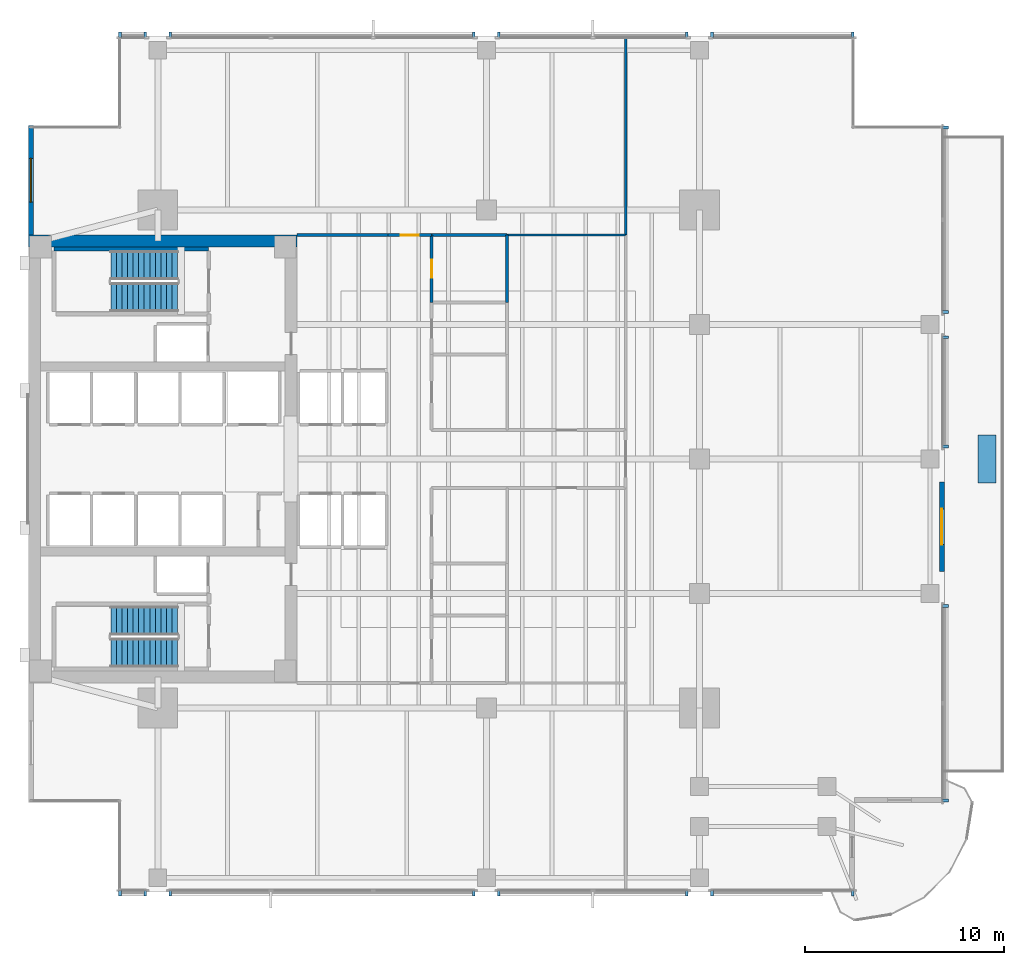
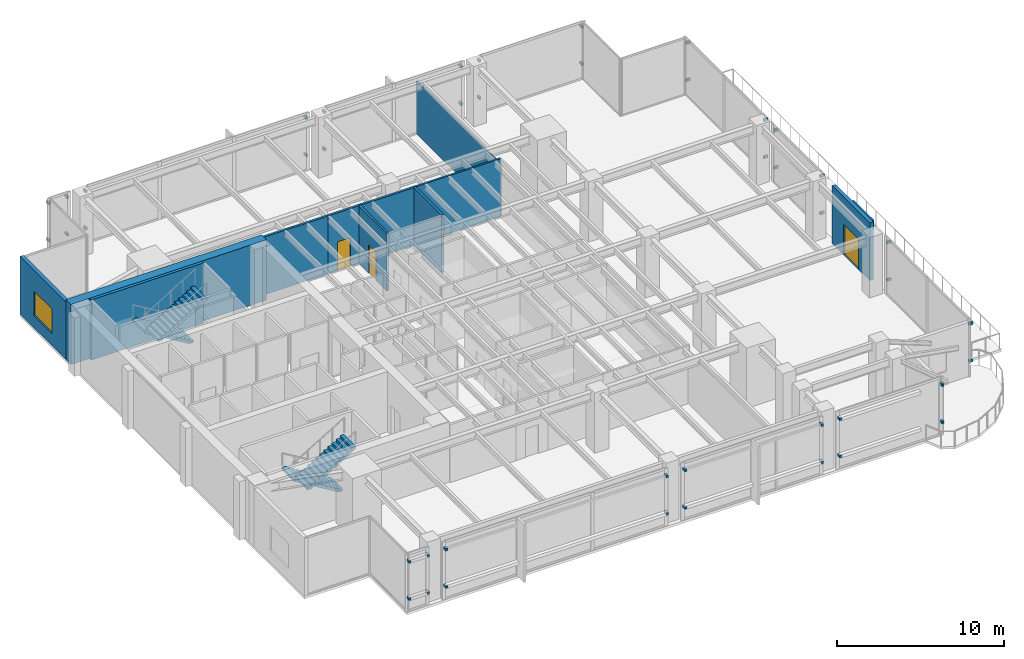
# One storey, part 10 of 14: 45 discrete accessories, 11 walls, 4 stair flights, 3 doors, 1 window, 4 openings, 2 elements without a shape of their own.
"""IFC4 building model written with IfcOpenShell, lengths in metres."""

from ifc_helpers import new_model, si_unit, direction, frame, frame_2d, origin, origin_2d, place, context, subcontext, project, spatial, polyline, rectangle, outline, extrude, material, layer, layer_set, type_object, element, fill, aggregate, save


model = new_model("IFC4")

# Units and contexts
model_context = context("Model", 3, precision=1e-05, world=origin(), true_north=direction((0.0, 1.0)))
body_context = subcontext(model_context, "Body", "Model", "MODEL_VIEW")
ifc_project = project(units=[si_unit("LENGTHUNIT", "METRE"), si_unit("AREAUNIT", "SQUARE_METRE"), si_unit("VOLUMEUNIT", "CUBIC_METRE"), si_unit("PLANEANGLEUNIT", "RADIAN"), si_unit("MASSUNIT", "GRAM", prefix="KILO")], contexts=[model_context])

# Site, building, storey
site_placement = place(None, origin())
site = spatial("IfcSite", under=ifc_project, at=site_placement, CompositionType="ELEMENT")
building_placement = place(site_placement, origin())
building = spatial("IfcBuilding", under=site, at=building_placement, Name="Kinhvarn Gate Tower", CompositionType="ELEMENT")
storey_placement = place(building_placement, frame((0.0, 0.0, 97.85009765625)))
storey = spatial("IfcBuildingStorey", under=building, at=storey_placement, Name="L25", CompositionType="ELEMENT", Elevation=97.85009765625)

# Wall
ifc_material_1 = material(Name="Concrete C60/75", Category="concrete")
ifc_layer_1 = layer(ifc_material_1, 0.60009765625)
ifc_layer_set_1 = layer_set([ifc_layer_1], Name="Concrete C60/75")
wall_type_1 = type_object("IfcWallType", Name="WL-CORE-600", PredefinedType="SHEAR", material=ifc_layer_set_1)
wall_1_placement = place(storey_placement, frame((4.5, 36.199951171875, 0.0), z_axis=(0.0, 0.0, 1.0), x_axis=(1.0, 0.0, 0.0)))
element("IfcWall", 1, at=wall_1_placement, inside=storey, type_object=wall_type_1, Name="Core North Shear Wall L25 600 mm", PredefinedType="SHEAR", context=body_context, shape_type="SweptSolid", body=[
    extrude(rectangle(XDim=13.5, YDim=0.60009765625, at=frame_2d((6.75, 0.0))), origin(), (0.0, 0.0, 1.0), 4.39990234375),
])

# Wall, opening, window
ifc_material_2 = material(Name="Fired architectural terracotta", Category="masonry")
ifc_layer_2 = layer(ifc_material_2, 0.25)
ifc_layer_set_2 = layer_set([ifc_layer_2], Name="Fired architectural terracotta")
wall_type_2 = type_object("IfcWallType", Name="WL-EXT-250", PredefinedType="SOLIDWALL", material=ifc_layer_set_2)
wall_2_placement = place(storey_placement, frame((4.625, 42.0, 0.0), z_axis=(0.0, 0.0, 1.0), x_axis=(0.0, -1.0, 0.0)))
wall_2 = element("IfcWall", 2, at=wall_2_placement, inside=storey, type_object=wall_type_2, Name="Exterior Solidwall Wall EW-250 (L25 West-North)", PredefinedType="SOLIDWALL", context=body_context, shape_type="SweptSolid", body=[
    extrude(rectangle(XDim=5.5, YDim=0.25, at=frame_2d((2.75, 0.0))), origin(), (0.0, 0.0, 1.0), 4.219970703125),
])
opening_1_placement = place(wall_2_placement, frame((1.64990234375, 0.0, 0.89990234375)))
opening_1 = element("IfcOpeningElement", 3, at=opening_1_placement, cuts=wall_2, Name="Opening WN-01", PredefinedType="OPENING", context=body_context, shape_type="SweptSolid", body=[
    extrude(rectangle(XDim=2.199951171875, YDim=1.800048828125, at=frame_2d((1.10009765625, 0.89990234375))), frame((0.0, 0.135009765625, 0.0), z_axis=(0.0, -1.0, 0.0), x_axis=(1.0, 0.0, 0.0)), (0.0, 0.0, 1.0), 0.27001953125),
])
ifc_material_3 = material(Name="Clear low-e double glazing", Category="glass")
window_type = type_object("IfcWindowType", Name="WIN-RIB-2200", PartitioningType="SINGLE_PANEL", PredefinedType="WINDOW", material=ifc_material_3)
window_placement = place(opening_1_placement, origin())
window = element("IfcWindow", 4, at=window_placement, inside=storey, type_object=window_type, Name="West Flank Double-Glazed Ribbon Window 2200x1800 mm (L25)", OverallHeight=1.800048828125, OverallWidth=2.199951171875, PartitioningType="SINGLE_PANEL", PredefinedType="WINDOW", context=body_context, shape_type="SweptSolid", body=[
    extrude(rectangle(XDim=2.199951171875, YDim=1.800048828125, at=frame_2d((1.10009765625, 0.89990234375))), frame((0.0, 0.030029296875, 0.0), z_axis=(0.0, -1.0, 0.0), x_axis=(1.0, 0.0, 0.0)), (0.0, 0.0, 1.0), 0.06005859375),
])
fill(opening_1, window)

# Wall, opening, door
wall_3_placement = place(storey_placement, frame((50.375, 19.60009765625, 0.0), z_axis=(0.0, 0.0, 1.0), x_axis=(0.0, 1.0, 0.0)))
wall_3 = element("IfcWall", 5, at=wall_3_placement, inside=storey, type_object=wall_type_2, Name="Exterior Solidwall Wall EW-250 (L25 Setback-Terrace-Access)", PredefinedType="SOLIDWALL", context=body_context, shape_type="SweptSolid", body=[
    extrude(rectangle(XDim=4.5, YDim=0.25, at=frame_2d((2.25, 0.0))), origin(), (0.0, 0.0, 1.0), 4.219970703125),
])
opening_2_placement = place(wall_3_placement, frame((1.35009765625, 0.0, 0.0)))
opening_2 = element("IfcOpeningElement", 6, at=opening_2_placement, cuts=wall_3, Name="Opening TD-01", PredefinedType="OPENING", context=body_context, shape_type="SweptSolid", body=[
    extrude(rectangle(XDim=1.800048828125, YDim=2.199951171875, at=frame_2d((0.89990234375, 1.10009765625))), frame((0.0, 0.135009765625, 0.0), z_axis=(0.0, -1.0, 0.0), x_axis=(1.0, 0.0, 0.0)), (0.0, 0.0, 1.0), 0.27001953125),
])
door_type_1 = type_object("IfcDoorType", Name="DR-TER-1800", OperationType="NOTDEFINED", PredefinedType="DOOR", material=ifc_material_3)
door_1_placement = place(opening_2_placement, frame((1.800048828125, 0.0, 0.0), z_axis=(0.0, 0.0, 1.0), x_axis=(-1.0, 0.0, 0.0)))
door_1 = element("IfcDoor", 7, at=door_1_placement, inside=storey, type_object=door_type_1, Name="Setback Terrace Double Door TD-01 (L25)", OperationType="DOUBLE_DOOR_SINGLE_SWING", OverallHeight=2.199951171875, OverallWidth=1.800048828125, PredefinedType="DOOR", context=body_context, shape_type="SweptSolid", body=[
    extrude(rectangle(XDim=1.800048828125, YDim=2.199951171875, at=frame_2d((0.89990234375, 1.10009765625))), frame((0.0, 0.02490234375, 0.0), z_axis=(0.0, -1.0, 0.0), x_axis=(1.0, 0.0, 0.0)), (0.0, 0.0, 1.0), 0.050048828125),
])
fill(opening_2, door_1)

# Walls
ifc_material_4 = material(Name="Gypsum acoustic partition board")
ifc_layer_3 = layer(ifc_material_4, 0.14990234375)
ifc_layer_set_3 = layer_set([ifc_layer_3], Name="Gypsum acoustic partition board")
wall_type_3 = type_object("IfcWallType", Name="WL-PLM-150", PredefinedType="PLUMBINGWALL", material=ifc_layer_set_3)
wall_4_placement = place(storey_placement, frame((24.75, 36.5, 0.0), z_axis=(0.0, 0.0, 1.0), x_axis=(1.0, 0.0, 0.0)))
element("IfcWall", 8, at=wall_4_placement, inside=storey, type_object=wall_type_3, Name="Interior Partition PLW-150 (L25)", PredefinedType="PLUMBINGWALL", context=body_context, shape_type="SweptSolid", body=[
    extrude(rectangle(XDim=3.800048828125, YDim=0.14990234375, at=frame_2d((1.89990234375, 0.0))), origin(), (0.0, 0.0, 1.0), 4.219970703125),
])
wall_5_placement = place(storey_placement, frame((28.550048828125, 33.10009765625, 0.0), z_axis=(0.0, 0.0, 1.0), x_axis=(0.0, 1.0, 0.0)))
element("IfcWall", 9, at=wall_5_placement, inside=storey, type_object=wall_type_3, Name="Interior Partition PLW-150 (L25)", PredefinedType="PLUMBINGWALL", context=body_context, shape_type="SweptSolid", body=[
    extrude(rectangle(XDim=3.39990234375, YDim=0.14990234375, at=frame_2d((1.699951171875, 0.0))), origin(), (0.0, 0.0, 1.0), 4.219970703125),
])

# Wall, opening, door
ifc_layer_4 = layer(ifc_material_4, 0.14990234375)
ifc_layer_set_4 = layer_set([ifc_layer_4], Name="Gypsum acoustic partition board")
wall_type_4 = type_object("IfcWallType", Name="WL-PLM-150F", PredefinedType="PLUMBINGWALL", material=ifc_layer_set_4)
wall_6_placement = place(storey_placement, frame((24.75, 33.10009765625, 0.0), z_axis=(0.0, 0.0, 1.0), x_axis=(0.0, 1.0, 0.0)))
wall_6 = element("IfcWall", 10, at=wall_6_placement, inside=storey, type_object=wall_type_4, Name="Interior Partition PLW-150F (L25)", PredefinedType="PLUMBINGWALL", context=body_context, shape_type="SweptSolid", body=[
    extrude(rectangle(XDim=3.39990234375, YDim=0.14990234375, at=frame_2d((1.699951171875, 0.0))), origin(), (0.0, 0.0, 1.0), 4.219970703125),
])
opening_3_placement = place(wall_6_placement, frame((1.25, 0.0, 0.0)))
opening_3 = element("IfcOpeningElement", 11, at=opening_3_placement, cuts=wall_6, Name="Opening FD-04", PredefinedType="OPENING", context=body_context, shape_type="SweptSolid", body=[
    extrude(rectangle(XDim=0.89990234375, YDim=2.10009765625, at=frame_2d((0.449951171875, 1.050048828125))), frame((0.0, 0.0849609375, 0.0), z_axis=(0.0, -1.0, 0.0), x_axis=(1.0, 0.0, 0.0)), (0.0, 0.0, 1.0), 0.169921875),
])
ifc_material_5 = material(Name="Anodised aluminium AW-6063", Category="aluminium")
door_type_2 = type_object("IfcDoorType", Name="DR-FD-900", OperationType="NOTDEFINED", PredefinedType="DOOR", material=ifc_material_5)
door_2_placement = place(opening_3_placement, origin())
door_2 = element("IfcDoor", 12, at=door_2_placement, inside=storey, type_object=door_type_2, Name="Rated Riser & Service Closet Fire Door 900x2100 mm (L25)", OperationType="SINGLE_SWING_RIGHT", OverallHeight=2.10009765625, OverallWidth=0.89990234375, PredefinedType="DOOR", context=body_context, shape_type="SweptSolid", body=[
    extrude(rectangle(XDim=0.89990234375, YDim=2.10009765625, at=frame_2d((0.449951171875, 1.050048828125))), frame((0.0, 0.02490234375, 0.0), z_axis=(0.0, -1.0, 0.0), x_axis=(1.0, 0.0, 0.0)), (0.0, 0.0, 1.0), 0.050048828125),
])
fill(opening_3, door_2)

# Walls
ifc_layer_5 = layer(ifc_material_4, 0.1201171875)
ifc_layer_set_5 = layer_set([ifc_layer_5], Name="Gypsum acoustic partition board")
wall_type_5 = type_object("IfcWallType", Name="WL-PRT-120", PredefinedType="PARTITIONING", material=ifc_layer_set_5)
wall_7_placement = place(storey_placement, frame((28.550048828125, 36.5, 0.0), z_axis=(0.0, 0.0, 1.0), x_axis=(1.0, 0.0, 0.0)))
element("IfcWall", 13, at=wall_7_placement, inside=storey, type_object=wall_type_5, Name="Interior Partition PW-120 (L25)", PredefinedType="PARTITIONING", context=body_context, shape_type="SweptSolid", body=[
    extrude(rectangle(XDim=5.949951171875, YDim=0.1201171875, at=frame_2d((2.97509765625, 0.0))), origin(), (0.0, 0.0, 1.0), 4.219970703125),
])
wall_8_placement = place(storey_placement, frame((34.5, 36.5, 0.0), z_axis=(0.0, 0.0, 1.0), x_axis=(0.0, 1.0, 0.0)))
element("IfcWall", 14, at=wall_8_placement, inside=storey, type_object=wall_type_5, Name="Interior Partition PW-120 (L25)", PredefinedType="PARTITIONING", context=body_context, shape_type="SweptSolid", body=[
    extrude(rectangle(XDim=9.989990234375, YDim=0.1201171875, at=frame_2d((4.9951171875, 0.0))), origin(), (0.0, 0.0, 1.0), 3.81982421875),
])
ifc_layer_6 = layer(ifc_material_4, 0.14990234375)
ifc_layer_set_6 = layer_set([ifc_layer_6], Name="Gypsum acoustic partition board")
wall_type_6 = type_object("IfcWallType", Name="WL-PRT-150F", PredefinedType="PARTITIONING", material=ifc_layer_set_6)
wall_9_placement = place(storey_placement, frame((18.0, 36.5, 0.0), z_axis=(0.0, 0.0, 1.0), x_axis=(1.0, 0.0, 0.0)))
element("IfcWall", 15, at=wall_9_placement, inside=storey, type_object=wall_type_6, Name="Interior Partition PW-150F (L25)", PredefinedType="PARTITIONING", context=body_context, shape_type="SweptSolid", body=[
    extrude(rectangle(XDim=4.550048828125, YDim=0.14990234375, at=frame_2d((2.27490234375, 0.0))), origin(), (0.0, 0.0, 1.0), 4.219970703125),
])

# Wall, opening, door
wall_10_placement = place(storey_placement, frame((22.550048828125, 36.5, 0.0), z_axis=(0.0, 0.0, 1.0), x_axis=(1.0, 0.0, 0.0)))
wall_10 = element("IfcWall", 16, at=wall_10_placement, inside=storey, type_object=wall_type_6, Name="Interior Partition PW-150F (L25)", PredefinedType="PARTITIONING", context=body_context, shape_type="SweptSolid", body=[
    extrude(rectangle(XDim=2.199951171875, YDim=0.14990234375, at=frame_2d((1.10009765625, 0.0))), origin(), (0.0, 0.0, 1.0), 4.219970703125),
])
opening_4_placement = place(wall_10_placement, frame((0.64990234375, 0.0, 0.0)))
opening_4 = element("IfcOpeningElement", 17, at=opening_4_placement, cuts=wall_10, Name="Opening ID-03", PredefinedType="OPENING", context=body_context, shape_type="SweptSolid", body=[
    extrude(rectangle(XDim=0.89990234375, YDim=2.10009765625, at=frame_2d((0.449951171875, 1.050048828125))), frame((0.0, 0.0849609375, 0.0), z_axis=(0.0, -1.0, 0.0), x_axis=(1.0, 0.0, 0.0)), (0.0, 0.0, 1.0), 0.169921875),
])
door_type_3 = type_object("IfcDoorType", Name="DR-INT-900", OperationType="NOTDEFINED", PredefinedType="DOOR", material=ifc_material_5)
door_3_placement = place(opening_4_placement, origin())
door_3 = element("IfcDoor", 18, at=door_3_placement, inside=storey, type_object=door_type_3, Name="Cellular Office & Restroom Door 900x2100 mm (L25)", OperationType="SINGLE_SWING_RIGHT", OverallHeight=2.10009765625, OverallWidth=0.89990234375, PredefinedType="DOOR", context=body_context, shape_type="SweptSolid", body=[
    extrude(rectangle(XDim=0.89990234375, YDim=2.10009765625, at=frame_2d((0.449951171875, 1.050048828125))), frame((0.0, 0.02490234375, 0.0), z_axis=(0.0, -1.0, 0.0), x_axis=(1.0, 0.0, 0.0)), (0.0, 0.0, 1.0), 0.050048828125),
])
fill(opening_4, door_3)

# Wall
ifc_material_6 = material(Name="Concrete C40/50", Category="concrete")
ifc_layer_7 = layer(ifc_material_6, 0.199951171875)
ifc_layer_set_7 = layer_set([ifc_layer_7], Name="Concrete C40/50")
wall_type_7 = type_object("IfcWallType", Name="WL-SHF-200", PredefinedType="SOLIDWALL", material=ifc_layer_set_7)
wall_11_placement = place(storey_placement, frame((5.800048828125, 35.800048828125, 0.0), z_axis=(0.0, 0.0, 1.0), x_axis=(1.0, 0.0, 0.0)))
element("IfcWall", 19, at=wall_11_placement, inside=storey, type_object=wall_type_7, Name="Stair ST2 North Shaft Wall (L25)", PredefinedType="SOLIDWALL", context=body_context, shape_type="SweptSolid", body=[
    extrude(rectangle(XDim=7.75, YDim=0.199951171875, at=frame_2d((3.875, 0.0))), origin(), (0.0, 0.0, 1.0), 4.39990234375),
])

# Stair, stair flights
stair_type = type_object("IfcStairType", Name="STR-DLG-169", PredefinedType="HALF_TURN_STAIR", material=ifc_material_6)
stair_1_placement = place(storey_placement, origin())
stair_1 = element("IfcStair", 20, at=stair_1_placement, inside=storey, type_object=stair_type, Name="L25 Core Smokeproof Exit Stair ST1", PredefinedType="HALF_TURN_STAIR")
stair_flight_type = type_object("IfcStairFlightType", Name="STF-DLG-169", PredefinedType="STRAIGHT", material=ifc_material_6)
stair_flight_1_placement = place(storey_placement, frame((12.0, 17.125, 0.0), z_axis=(0.0, 0.0, 1.0), x_axis=(-1.0, 0.0, 0.0)))
stair_flight_1 = element("IfcStairFlight", 21, at=stair_flight_1_placement, type_object=stair_flight_type, Name="ST1 flight 1", NumberOfRisers=13, NumberOfTreads=12, PredefinedType="STRAIGHT", RiserHeight=0.169230769, TreadLength=0.28, context=body_context, shape_type="SweptSolid", body=[
    extrude(outline(polyline([(0.0, 0.0), (0.0, 0.169189453125), (0.280029296875, 0.169189453125), (0.280029296875, 0.33837890625), (0.56005859375, 0.33837890625), (0.56005859375, 0.5078125), (0.840087890625, 0.5078125), (0.840087890625, 0.677001953125), (1.1201171875, 0.677001953125), (1.1201171875, 0.84619140625), (1.39990234375, 0.84619140625), (1.39990234375, 1.015380859375), (1.679931640625, 1.015380859375), (1.679931640625, 1.1845703125), (1.9599609375, 1.1845703125), (1.9599609375, 1.353759765625), (2.239990234375, 1.353759765625), (2.239990234375, 1.523193359375), (2.52001953125, 1.523193359375), (2.52001953125, 1.6923828125), (2.800048828125, 1.6923828125), (2.800048828125, 1.861572265625), (3.080078125, 1.861572265625), (3.080078125, 2.03076171875), (3.360107421875, 2.03076171875), (3.360107421875, 2.199951171875), (3.360107421875, 1.855712890625), (0.289794921875, 0.0), (0.0, 0.0)])), frame((0.0, 0.72509765625, 0.0), z_axis=(0.0, -1.0, 0.0), x_axis=(1.0, 0.0, 0.0)), (0.0, 0.0, 1.0), 1.449951171875),
])
stair_flight_2_placement = place(storey_placement, frame((8.639892578125, 15.52490234375, 2.199951171875), z_axis=(0.0, 0.0, 1.0), x_axis=(1.0, 0.0, 0.0)))
stair_flight_2 = element("IfcStairFlight", 22, at=stair_flight_2_placement, type_object=stair_flight_type, Name="ST1 flight 2", NumberOfRisers=13, NumberOfTreads=12, PredefinedType="STRAIGHT", RiserHeight=0.169230769, TreadLength=0.28, context=body_context, shape_type="SweptSolid", body=[
    extrude(outline(polyline([(0.0, 0.0), (0.0, 0.169189453125), (0.280029296875, 0.169189453125), (0.280029296875, 0.33837890625), (0.56005859375, 0.33837890625), (0.56005859375, 0.5078125), (0.840087890625, 0.5078125), (0.840087890625, 0.677001953125), (1.1201171875, 0.677001953125), (1.1201171875, 0.84619140625), (1.39990234375, 0.84619140625), (1.39990234375, 1.015380859375), (1.679931640625, 1.015380859375), (1.679931640625, 1.1845703125), (1.9599609375, 1.1845703125), (1.9599609375, 1.353759765625), (2.239990234375, 1.353759765625), (2.239990234375, 1.523193359375), (2.52001953125, 1.523193359375), (2.52001953125, 1.6923828125), (2.800048828125, 1.6923828125), (2.800048828125, 1.861572265625), (3.080078125, 1.861572265625), (3.080078125, 2.03076171875), (3.360107421875, 2.03076171875), (3.360107421875, 2.199951171875), (3.360107421875, 1.855712890625), (0.289794921875, 0.0), (0.0, 0.0)])), frame((0.0, 0.72509765625, 0.0), z_axis=(0.0, -1.0, 0.0), x_axis=(1.0, 0.0, 0.0)), (0.0, 0.0, 1.0), 1.449951171875),
])
aggregate(stair_1, [stair_flight_1, stair_flight_2])

stair_2_placement = place(storey_placement, origin())
stair_2 = element("IfcStair", 23, at=stair_2_placement, inside=storey, type_object=stair_type, Name="L25 Core Smokeproof Exit Stair ST2", PredefinedType="HALF_TURN_STAIR")
stair_flight_3_placement = place(storey_placement, frame((12.0, 34.97509765625, 0.0), z_axis=(0.0, 0.0, 1.0), x_axis=(-1.0, 0.0, 0.0)))
stair_flight_3 = element("IfcStairFlight", 24, at=stair_flight_3_placement, type_object=stair_flight_type, Name="ST2 flight 1", NumberOfRisers=13, NumberOfTreads=12, PredefinedType="STRAIGHT", RiserHeight=0.169230769, TreadLength=0.28, context=body_context, shape_type="SweptSolid", body=[
    extrude(outline(polyline([(0.0, 0.0), (0.0, 0.169189453125), (0.280029296875, 0.169189453125), (0.280029296875, 0.33837890625), (0.56005859375, 0.33837890625), (0.56005859375, 0.5078125), (0.840087890625, 0.5078125), (0.840087890625, 0.677001953125), (1.1201171875, 0.677001953125), (1.1201171875, 0.84619140625), (1.39990234375, 0.84619140625), (1.39990234375, 1.015380859375), (1.679931640625, 1.015380859375), (1.679931640625, 1.1845703125), (1.9599609375, 1.1845703125), (1.9599609375, 1.353759765625), (2.239990234375, 1.353759765625), (2.239990234375, 1.523193359375), (2.52001953125, 1.523193359375), (2.52001953125, 1.6923828125), (2.800048828125, 1.6923828125), (2.800048828125, 1.861572265625), (3.080078125, 1.861572265625), (3.080078125, 2.03076171875), (3.360107421875, 2.03076171875), (3.360107421875, 2.199951171875), (3.360107421875, 1.855712890625), (0.289794921875, 0.0), (0.0, 0.0)])), frame((0.0, 0.72509765625, 0.0), z_axis=(0.0, -1.0, 0.0), x_axis=(1.0, 0.0, 0.0)), (0.0, 0.0, 1.0), 1.449951171875),
])
stair_flight_4_placement = place(storey_placement, frame((8.639892578125, 33.375, 2.199951171875), z_axis=(0.0, 0.0, 1.0), x_axis=(1.0, 0.0, 0.0)))
stair_flight_4 = element("IfcStairFlight", 25, at=stair_flight_4_placement, type_object=stair_flight_type, Name="ST2 flight 2", NumberOfRisers=13, NumberOfTreads=12, PredefinedType="STRAIGHT", RiserHeight=0.169230769, TreadLength=0.28, context=body_context, shape_type="SweptSolid", body=[
    extrude(outline(polyline([(0.0, 0.0), (0.0, 0.169189453125), (0.280029296875, 0.169189453125), (0.280029296875, 0.33837890625), (0.56005859375, 0.33837890625), (0.56005859375, 0.5078125), (0.840087890625, 0.5078125), (0.840087890625, 0.677001953125), (1.1201171875, 0.677001953125), (1.1201171875, 0.84619140625), (1.39990234375, 0.84619140625), (1.39990234375, 1.015380859375), (1.679931640625, 1.015380859375), (1.679931640625, 1.1845703125), (1.9599609375, 1.1845703125), (1.9599609375, 1.353759765625), (2.239990234375, 1.353759765625), (2.239990234375, 1.523193359375), (2.52001953125, 1.523193359375), (2.52001953125, 1.6923828125), (2.800048828125, 1.6923828125), (2.800048828125, 1.861572265625), (3.080078125, 1.861572265625), (3.080078125, 2.03076171875), (3.360107421875, 2.03076171875), (3.360107421875, 2.199951171875), (3.360107421875, 1.855712890625), (0.289794921875, 0.0), (0.0, 0.0)])), frame((0.0, 0.72509765625, 0.0), z_axis=(0.0, -1.0, 0.0), x_axis=(1.0, 0.0, 0.0)), (0.0, 0.0, 1.0), 1.449951171875),
])
aggregate(stair_2, [stair_flight_3, stair_flight_4])

# Discrete accessories
discrete_accessory_type_1 = type_object("IfcDiscreteAccessoryType", Name="ACC-BRK-01", PredefinedType="BRACKET", material=ifc_material_5)
for number, where, z_axis, x_axis, name in (
    (26, (9.10009765625, 3.43994140625, 0.9599609375), (0.0, 0.0, 1.0), (1.0, 0.0, 0.0), "Baguette Support Bracket BK-01 (L25)"),
    (27, (9.10009765625, 3.43994140625, 3.68017578125), (0.0, 0.0, 1.0), (1.0, 0.0, 0.0), "Baguette Support Bracket BK-01 (L25)"),
    (28, (10.3701171875, 3.43994140625, 0.9599609375), (0.0, 0.0, 1.0), (1.0, 0.0, 0.0), "Baguette Support Bracket BK-01 (L25)"),
    (29, (10.3701171875, 3.43994140625, 3.68017578125), (0.0, 0.0, 1.0), (1.0, 0.0, 0.0), "Baguette Support Bracket BK-01 (L25)"),
    (30, (11.6298828125, 3.43994140625, 0.9599609375), (0.0, 0.0, 1.0), (1.0, 0.0, 0.0), "Baguette Support Bracket BK-01 (L25)"),
    (31, (11.6298828125, 3.43994140625, 3.68017578125), (0.0, 0.0, 1.0), (1.0, 0.0, 0.0), "Baguette Support Bracket BK-01 (L25)"),
    (32, (26.8701171875, 3.43994140625, 0.9599609375), (0.0, 0.0, 1.0), (1.0, 0.0, 0.0), "Baguette Support Bracket BK-01 (L25)"),
    (33, (26.8701171875, 3.43994140625, 3.68017578125), (0.0, 0.0, 1.0), (1.0, 0.0, 0.0), "Baguette Support Bracket BK-01 (L25)"),
    (34, (28.1298828125, 3.43994140625, 0.9599609375), (0.0, 0.0, 1.0), (1.0, 0.0, 0.0), "Baguette Support Bracket BK-01 (L25)"),
    (35, (28.1298828125, 3.43994140625, 3.68017578125), (0.0, 0.0, 1.0), (1.0, 0.0, 0.0), "Baguette Support Bracket BK-01 (L25)"),
    (36, (37.570068359375, 3.43994140625, 0.9599609375), (0.0, 0.0, 1.0), (1.0, 0.0, 0.0), "Baguette Support Bracket BK-01 (L25)"),
    (37, (37.570068359375, 3.43994140625, 3.68017578125), (0.0, 0.0, 1.0), (1.0, 0.0, 0.0), "Baguette Support Bracket BK-01 (L25)"),
    (38, (38.830078125, 3.43994140625, 0.9599609375), (0.0, 0.0, 1.0), (1.0, 0.0, 0.0), "Baguette Support Bracket BK-01 (L25)"),
    (39, (38.830078125, 3.43994140625, 3.68017578125), (0.0, 0.0, 1.0), (1.0, 0.0, 0.0), "Baguette Support Bracket BK-01 (L25)"),
    (40, (45.89990234375, 3.43994140625, 0.9599609375), (0.0, 0.0, 1.0), (1.0, 0.0, 0.0), "Baguette Support Bracket BK-01 (L25)"),
    (41, (45.89990234375, 3.43994140625, 3.68017578125), (0.0, 0.0, 1.0), (1.0, 0.0, 0.0), "Baguette Support Bracket BK-01 (L25)"),
    (42, (45.89990234375, 46.56005859375, 0.9599609375), (0.0, 0.0, 1.0), (-1.0, 0.0, 0.0), "Baguette Support Bracket BK-01 (L25)"),
    (43, (45.89990234375, 46.56005859375, 3.68017578125), (0.0, 0.0, 1.0), (-1.0, 0.0, 0.0), "Baguette Support Bracket BK-01 (L25)"),
    (44, (38.830078125, 46.56005859375, 0.9599609375), (0.0, 0.0, 1.0), (-1.0, 0.0, 0.0), "Baguette Support Bracket BK-01 (L25)"),
    (45, (38.830078125, 46.56005859375, 3.68017578125), (0.0, 0.0, 1.0), (-1.0, 0.0, 0.0), "Baguette Support Bracket BK-01 (L25)"),
    (46, (37.570068359375, 46.56005859375, 0.9599609375), (0.0, 0.0, 1.0), (-1.0, 0.0, 0.0), "Baguette Support Bracket BK-01 (L25)"),
    (47, (37.570068359375, 46.56005859375, 3.68017578125), (0.0, 0.0, 1.0), (-1.0, 0.0, 0.0), "Baguette Support Bracket BK-01 (L25)"),
    (48, (28.1298828125, 46.56005859375, 0.9599609375), (0.0, 0.0, 1.0), (-1.0, 0.0, 0.0), "Baguette Support Bracket BK-01 (L25)"),
    (49, (28.1298828125, 46.56005859375, 3.68017578125), (0.0, 0.0, 1.0), (-1.0, 0.0, 0.0), "Baguette Support Bracket BK-01 (L25)"),
    (50, (26.8701171875, 46.56005859375, 0.9599609375), (0.0, 0.0, 1.0), (-1.0, 0.0, 0.0), "Baguette Support Bracket BK-01 (L25)"),
    (51, (26.8701171875, 46.56005859375, 3.68017578125), (0.0, 0.0, 1.0), (-1.0, 0.0, 0.0), "Baguette Support Bracket BK-01 (L25)"),
    (52, (11.6298828125, 46.56005859375, 0.9599609375), (0.0, 0.0, 1.0), (-1.0, 0.0, 0.0), "Baguette Support Bracket BK-01 (L25)"),
    (53, (11.6298828125, 46.56005859375, 3.68017578125), (0.0, 0.0, 1.0), (-1.0, 0.0, 0.0), "Baguette Support Bracket BK-01 (L25)"),
    (54, (10.3701171875, 46.56005859375, 0.9599609375), (0.0, 0.0, 1.0), (-1.0, 0.0, 0.0), "Baguette Support Bracket BK-01 (L25)"),
    (55, (10.3701171875, 46.56005859375, 3.68017578125), (0.0, 0.0, 1.0), (-1.0, 0.0, 0.0), "Baguette Support Bracket BK-01 (L25)"),
    (56, (9.10009765625, 46.56005859375, 0.9599609375), (0.0, 0.0, 1.0), (-1.0, 0.0, 0.0), "Baguette Support Bracket BK-01 (L25)"),
    (57, (9.10009765625, 46.56005859375, 3.68017578125), (0.0, 0.0, 1.0), (-1.0, 0.0, 0.0), "Baguette Support Bracket BK-01 (L25)"),
    (58, (50.56005859375, 8.10009765625, 0.9599609375), (0.0, 0.0, 1.0), (0.0, 1.0, 0.0), "Baguette Support Bracket BK-01 (L25)"),
    (59, (50.56005859375, 8.10009765625, 3.68017578125), (0.0, 0.0, 1.0), (0.0, 1.0, 0.0), "Baguette Support Bracket BK-01 (L25)"),
    (60, (50.56005859375, 17.8701171875, 0.9599609375), (0.0, 0.0, 1.0), (0.0, 1.0, 0.0), "Baguette Support Bracket BK-01 (L25)"),
    (61, (50.56005859375, 17.8701171875, 3.68017578125), (0.0, 0.0, 1.0), (0.0, 1.0, 0.0), "Baguette Support Bracket BK-01 (L25)"),
    (62, (50.56005859375, 25.8798828125, 0.9599609375), (0.0, 0.0, 1.0), (0.0, 1.0, 0.0), "Baguette Support Bracket BK-01 (L25)"),
    (63, (50.56005859375, 25.8798828125, 3.68017578125), (0.0, 0.0, 1.0), (0.0, 1.0, 0.0), "Baguette Support Bracket BK-01 (L25)"),
    (64, (50.56005859375, 31.3701171875, 0.9599609375), (0.0, 0.0, 1.0), (0.0, 1.0, 0.0), "Baguette Support Bracket BK-01 (L25)"),
    (65, (50.56005859375, 31.3701171875, 3.68017578125), (0.0, 0.0, 1.0), (0.0, 1.0, 0.0), "Baguette Support Bracket BK-01 (L25)"),
    (66, (50.56005859375, 32.6298828125, 0.9599609375), (0.0, 0.0, 1.0), (0.0, 1.0, 0.0), "Baguette Support Bracket BK-01 (L25)"),
    (67, (50.56005859375, 32.6298828125, 3.68017578125), (0.0, 0.0, 1.0), (0.0, 1.0, 0.0), "Baguette Support Bracket BK-01 (L25)"),
    (68, (50.56005859375, 41.89990234375, 0.9599609375), (0.0, 0.0, 1.0), (0.0, 1.0, 0.0), "Baguette Support Bracket BK-01 (L25)"),
    (69, (50.56005859375, 41.89990234375, 3.68017578125), (0.0, 0.0, 1.0), (0.0, 1.0, 0.0), "Baguette Support Bracket BK-01 (L25)"),
):
    element("IfcDiscreteAccessory", number, at=place(storey_placement, frame(where, z_axis=z_axis, x_axis=x_axis)), inside=storey, type_object=discrete_accessory_type_1, Name=name, PredefinedType="BRACKET", context=body_context, shape_type="SweptSolid", body=[
        extrude(rectangle(XDim=0.139892578125, YDim=0.280029296875, at=origin_2d()), origin(), (0.0, 0.0, 1.0), 0.179931640625),
    ])
ifc_material_7 = material(Name="Precast white architectural concrete C40/50", Category="concrete")
discrete_accessory_type_2 = type_object("IfcDiscreteAccessoryType", Name="ACC-PLN-01", PredefinedType="USERDEFINED", material=ifc_material_7)
discrete_accessory_placement = place(storey_placement, frame((52.64990234375, 25.25, 0.0), z_axis=(0.0, 0.0, 1.0), x_axis=(1.0, 0.0, 0.0)))
element("IfcDiscreteAccessory", 70, at=discrete_accessory_placement, inside=storey, type_object=discrete_accessory_type_2, Name="Sky Terrace Landscape Planter PLN-01 (L25)", ObjectType="PLANTER", PredefinedType="USERDEFINED", context=body_context, shape_type="SweptSolid", body=[
    extrude(rectangle(XDim=0.89990234375, YDim=2.39990234375, at=origin_2d()), origin(), (0.0, 0.0, 1.0), 0.75),
])

save(model, "model.ifc")
